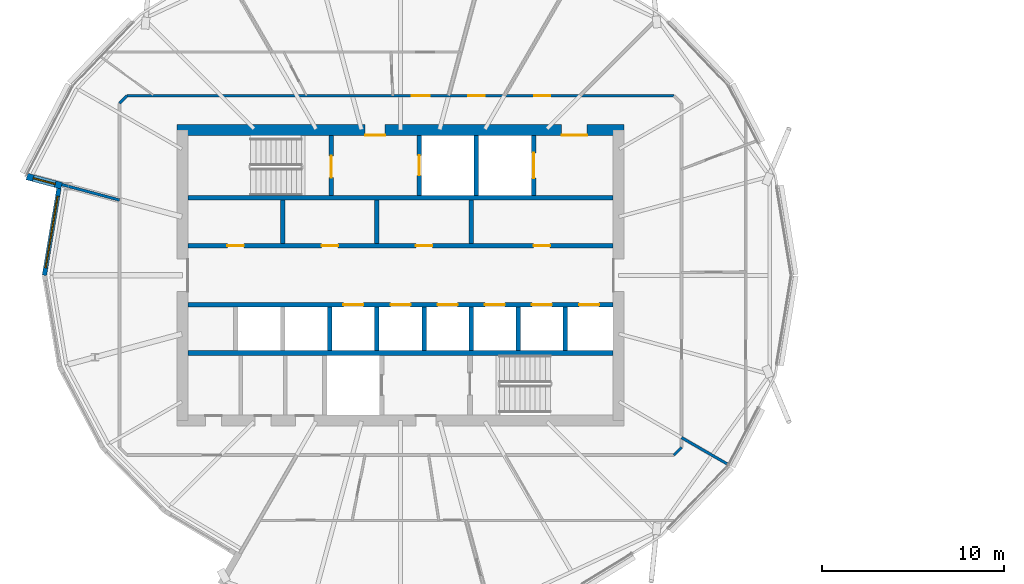
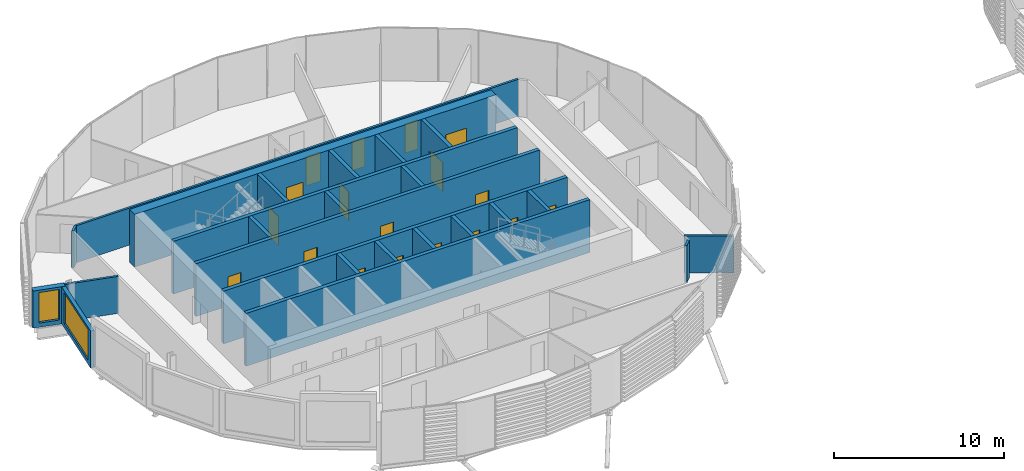
# One storey, part 19 of 36: 25 walls, 18 doors, 2 windows, 20 openings.
"""IFC4 building model written with IfcOpenShell, lengths in metres."""

from ifc_helpers import new_model, si_unit, direction, frame, frame_2d, origin, place, context, subcontext, project, spatial, rectangle, extrude, material, layer, layer_set, type_object, element, fill, save


model = new_model("IFC4")

# Units and contexts
model_context = context("Model", 3, precision=1e-05, world=origin(), true_north=direction((0.0, 1.0)))
body_context = subcontext(model_context, "Body", "Model", "MODEL_VIEW")
ifc_project = project(units=[si_unit("LENGTHUNIT", "METRE"), si_unit("AREAUNIT", "SQUARE_METRE"), si_unit("VOLUMEUNIT", "CUBIC_METRE"), si_unit("PLANEANGLEUNIT", "RADIAN"), si_unit("MASSUNIT", "GRAM", prefix="KILO")], contexts=[model_context])

# Site, building, storey
site_placement = place(None, origin())
site = spatial("IfcSite", under=ifc_project, at=site_placement, CompositionType="ELEMENT")
building_placement = place(site_placement, origin())
building = spatial("IfcBuilding", under=site, at=building_placement, Name="Rimbun Link Towers", CompositionType="ELEMENT")
storey_placement = place(building_placement, frame((0.0, 0.0, 200.699951171875)))
storey = spatial("IfcBuildingStorey", under=building, at=storey_placement, Name="L49", CompositionType="ELEMENT", Elevation=200.699951171875)

# Wall, opening, window
ifc_material_1 = material(Name="Dark enamelled glass spandrel on insulated aluminium backpan", Category="aluminium")
ifc_layer_1 = layer(ifc_material_1, 0.25)
ifc_layer_set_1 = layer_set([ifc_layer_1], Name="CS dark enamelled spandrel wall 250")
wall_type_1 = type_object("IfcWallType", Name="CS dark enamelled spandrel wall 250", PredefinedType="STANDARD", material=ifc_layer_set_1)
wall_1_placement = place(storey_placement, frame((-51.3603515625, 0.0, 0.0), z_axis=(0.0, 0.0, 1.0), x_axis=(0.165542246624, 0.986202699541, 0.0)))
wall_1 = element("IfcWall", 1, at=wall_1_placement, inside=storey, type_object=wall_type_1, Name="Crease spandrel wall", PredefinedType="STANDARD", context=body_context, shape_type="SweptSolid", body=[
    extrude(rectangle(XDim=4.84765625, YDim=0.25, at=frame_2d((2.423828125, 0.0))), origin(), (0.0, 0.0, 1.0), 2.671630859375),
])
opening_1_placement = place(wall_1_placement, frame((0.423828125, 0.0, 0.300048828125)))
opening_1 = element("IfcOpeningElement", 2, at=opening_1_placement, cuts=wall_1, Name="Opening WR40H220", PredefinedType="OPENING", context=body_context, shape_type="SweptSolid", body=[
    extrude(rectangle(XDim=4.0, YDim=2.199951171875, at=frame_2d((2.0, 1.10009765625))), frame((0.0, 0.135009765625, 0.0), z_axis=(0.0, -1.0, 0.0), x_axis=(1.0, 0.0, 0.0)), (0.0, 0.0, 1.0), 0.27001953125),
])
ifc_material_2 = material(Name="Aluminium framed fixed window, dark tinted low-e glass", Category="aluminium")
window_type_1 = type_object("IfcWindowType", Name="WR ribbon window 4000X2200", PartitioningType="SINGLE_PANEL", PredefinedType="WINDOW", material=ifc_material_2)
window_1_placement = place(opening_1_placement, origin())
window_1 = element("IfcWindow", 3, at=window_1_placement, inside=storey, type_object=window_type_1, Name="Crease ribbon window", OverallHeight=2.199951171875, OverallWidth=4.0, PartitioningType="SINGLE_PANEL", PredefinedType="WINDOW", context=body_context, shape_type="SweptSolid", body=[
    extrude(rectangle(XDim=4.0, YDim=2.199951171875, at=frame_2d((2.0, 1.10009765625))), frame((0.0, 0.030029296875, 0.0), z_axis=(0.0, -1.0, 0.0), x_axis=(1.0, 0.0, 0.0)), (0.0, 0.0, 1.0), 0.06005859375),
])
fill(opening_1, window_1)

ifc_material_3 = material(Name="Dark enamelled glass spandrel on insulated aluminium backpan", Category="aluminium")
ifc_layer_2 = layer(ifc_material_3, 0.3701171875)
ifc_layer_set_2 = layer_set([ifc_layer_2], Name="CS dark enamelled spandrel wall 370")
wall_type_2 = type_object("IfcWallType", Name="CS dark enamelled spandrel wall 370", PredefinedType="STANDARD", material=ifc_layer_set_2)
wall_2_placement = place(storey_placement, frame((-50.411865234375, 4.93310546875, 0.0), z_axis=(0.0, 0.0, 1.0), x_axis=(-0.965929339423, 0.258805933552, 0.0)))
wall_2 = element("IfcWall", 4, at=wall_2_placement, inside=storey, type_object=wall_type_2, Name="Crease spandrel wall", PredefinedType="STANDARD", context=body_context, shape_type="SweptSolid", body=[
    extrude(rectangle(XDim=1.97998046875, YDim=0.3701171875, at=frame_2d((0.989990234375, 0.0))), origin(), (0.0, 0.0, 1.0), 2.671630859375),
])
opening_2_placement = place(wall_2_placement, frame((0.364990234375, 0.0, 0.300048828125)))
opening_2 = element("IfcOpeningElement", 5, at=opening_2_placement, cuts=wall_2, Name="Opening WR12H220", PredefinedType="OPENING", context=body_context, shape_type="SweptSolid", body=[
    extrude(rectangle(XDim=1.25, YDim=2.199951171875, at=frame_2d((0.625, 1.10009765625))), frame((0.0, 0.195068359375, 0.0), z_axis=(0.0, -1.0, 0.0), x_axis=(1.0, 0.0, 0.0)), (0.0, 0.0, 1.0), 0.39013671875),
])
ifc_material_4 = material(Name="Aluminium framed fixed window, dark tinted low-e glass", Category="aluminium")
window_type_2 = type_object("IfcWindowType", Name="WR ribbon window 1250X2200", PartitioningType="SINGLE_PANEL", PredefinedType="WINDOW", material=ifc_material_4)
window_2_placement = place(opening_2_placement, origin())
window_2 = element("IfcWindow", 6, at=window_2_placement, inside=storey, type_object=window_type_2, Name="Crease ribbon window", OverallHeight=2.199951171875, OverallWidth=1.25, PartitioningType="SINGLE_PANEL", PredefinedType="WINDOW", context=body_context, shape_type="SweptSolid", body=[
    extrude(rectangle(XDim=1.25, YDim=2.199951171875, at=frame_2d((0.625, 1.10009765625))), frame((0.0, 0.030029296875, 0.0), z_axis=(0.0, -1.0, 0.0), x_axis=(1.0, 0.0, 0.0)), (0.0, 0.0, 1.0), 0.06005859375),
])
fill(opening_2, window_2)

# Wall, openings, doors
ifc_material_5 = material(Name="Concrete C60/75", Category="concrete")
ifc_layer_3 = layer(ifc_material_5, 0.60009765625)
ifc_layer_set_3 = layer_set([ifc_layer_3], Name="Core shear wall 600")
wall_type_3 = type_object("IfcWallType", Name="Core shear wall 600", PredefinedType="SHEAR", material=ifc_layer_set_3)
wall_3_placement = place(storey_placement, frame((-44.050048828125, 8.0, 0.0), z_axis=(0.0, 0.0, 1.0), x_axis=(1.0, 0.0, 0.0)))
wall_3 = element("IfcWall", 7, at=wall_3_placement, inside=storey, type_object=wall_type_3, Name="L49 T1 core wall N", PredefinedType="SHEAR", context=body_context, shape_type="SweptSolid", body=[
    extrude(rectangle(XDim=24.60009765625, YDim=0.60009765625, at=frame_2d((12.300048828125, 0.0))), origin(), (0.0, 0.0, 1.0), 3.800048828125),
])
opening_3_placement = place(wall_3_placement, frame((10.35009765625, 0.0, 0.0)))
opening_3 = element("IfcOpeningElement", 8, at=opening_3_placement, cuts=wall_3, Name="Opening C1DCF01N", PredefinedType="OPENING", context=body_context, shape_type="SweptSolid", body=[
    extrude(rectangle(XDim=1.10009765625, YDim=2.10009765625, at=frame_2d((0.550048828125, 1.050048828125))), frame((0.0, 0.31005859375, 0.0), z_axis=(0.0, -1.0, 0.0), x_axis=(1.0, 0.0, 0.0)), (0.0, 0.0, 1.0), 0.6201171875),
])
opening_4_placement = place(wall_3_placement, frame((21.175048828125, 0.0, 0.0)))
opening_4 = element("IfcOpeningElement", 9, at=opening_4_placement, cuts=wall_3, Name="Opening C1DSL02N", PredefinedType="OPENING", context=body_context, shape_type="SweptSolid", body=[
    extrude(rectangle(XDim=1.39990234375, YDim=2.10009765625, at=frame_2d((0.699951171875, 1.050048828125))), frame((0.0, 0.31005859375, 0.0), z_axis=(0.0, -1.0, 0.0), x_axis=(1.0, 0.0, 0.0)), (0.0, 0.0, 1.0), 0.6201171875),
])
ifc_material_6 = material(Name="Steel fire door set", Category="steel")
door_type_1 = type_object("IfcDoorType", Name="Core fire door single", OperationType="SINGLE_SWING_LEFT", PredefinedType="DOOR", material=ifc_material_6)
door_1_placement = place(opening_3_placement, origin())
door_1 = element("IfcDoor", 10, at=door_1_placement, inside=storey, type_object=door_type_1, Name="L49 T1 firefighting lobby n door", OperationType="SINGLE_SWING_LEFT", OverallHeight=2.10009765625, OverallWidth=1.10009765625, PredefinedType="DOOR", context=body_context, shape_type="SweptSolid", body=[
    extrude(rectangle(XDim=1.10009765625, YDim=2.10009765625, at=frame_2d((0.550048828125, 1.050048828125))), frame((0.0, -0.25, 0.0), z_axis=(0.0, -1.0, 0.0), x_axis=(1.0, 0.0, 0.0)), (0.0, 0.0, 1.0), 0.050048828125),
])
fill(opening_3, door_1)
ifc_material_7 = material(Name="Steel fire door set", Category="steel")
door_type_2 = type_object("IfcDoorType", Name="Service lobby door double", OperationType="DOUBLE_DOOR_SINGLE_SWING", PredefinedType="DOOR", material=ifc_material_7)
door_2_placement = place(opening_4_placement, origin())
door_2 = element("IfcDoor", 11, at=door_2_placement, inside=storey, type_object=door_type_2, Name="L49 T1 service lobby door", OperationType="DOUBLE_DOOR_SINGLE_SWING", OverallHeight=2.10009765625, OverallWidth=1.39990234375, PredefinedType="DOOR", context=body_context, shape_type="SweptSolid", body=[
    extrude(rectangle(XDim=1.39990234375, YDim=2.10009765625, at=frame_2d((0.699951171875, 1.050048828125))), frame((0.0, -0.25, 0.0), z_axis=(0.0, -1.0, 0.0), x_axis=(1.0, 0.0, 0.0)), (0.0, 0.0, 1.0), 0.050048828125),
])
fill(opening_4, door_2)

ifc_material_8 = material(Name="Plasterboard on steel stud, mineral wool", Category="steel")
ifc_layer_4 = layer(ifc_material_8, 0.14990234375)
ifc_layer_set_4 = layer_set([ifc_layer_4], Name="Corridor wall EI 30 150 mm")
wall_type_4 = type_object("IfcWallType", Name="Corridor wall EI 30 150 mm", PredefinedType="PARTITIONING", material=ifc_layer_set_4)
wall_4_placement = place(storey_placement, frame((-46.8037109375, 9.89501953125, 0.0), z_axis=(0.0, 0.0, 1.0), x_axis=(1.0, 0.0, 0.0)))
wall_4 = element("IfcWall", 12, at=wall_4_placement, inside=storey, type_object=wall_type_4, Name="Corridor wall EI 30 150 mm", PredefinedType="PARTITIONING", context=body_context, shape_type="SweptSolid", body=[
    extrude(rectangle(XDim=30.107421875, YDim=0.14990234375, at=frame_2d((15.0537109375, 0.0))), origin(), (0.0, 0.0, 1.0), 2.662109375),
])
opening_5_placement = place(wall_4_placement, frame((22.40771484375, 0.0, 0.0)))
opening_5 = element("IfcOpeningElement", 13, at=opening_5_placement, cuts=wall_4, Name="Opening D02", PredefinedType="OPENING", context=body_context, shape_type="SweptSolid", body=[
    extrude(rectangle(XDim=0.89990234375, YDim=2.10009765625, at=frame_2d((0.449951171875, 1.050048828125))), frame((0.0, 0.0849609375, 0.0), z_axis=(0.0, -1.0, 0.0), x_axis=(1.0, 0.0, 0.0)), (0.0, 0.0, 1.0), 0.169921875),
])
opening_6_placement = place(wall_4_placement, frame((18.785888671875, 0.0, 0.0)))
opening_6 = element("IfcOpeningElement", 14, at=opening_6_placement, cuts=wall_4, Name="Opening D02", PredefinedType="OPENING", context=body_context, shape_type="SweptSolid", body=[
    extrude(rectangle(XDim=0.89990234375, YDim=2.10009765625, at=frame_2d((0.449951171875, 1.050048828125))), frame((0.0, 0.0849609375, 0.0), z_axis=(0.0, -1.0, 0.0), x_axis=(1.0, 0.0, 0.0)), (0.0, 0.0, 1.0), 0.169921875),
])
opening_7_placement = place(wall_4_placement, frame((15.668212890625, 0.0, 0.0)))
opening_7 = element("IfcOpeningElement", 15, at=opening_7_placement, cuts=wall_4, Name="Opening D01", PredefinedType="OPENING", context=body_context, shape_type="SweptSolid", body=[
    extrude(rectangle(XDim=1.0, YDim=2.10009765625, at=frame_2d((0.5, 1.050048828125))), frame((0.0, 0.0849609375, 0.0), z_axis=(0.0, -1.0, 0.0), x_axis=(1.0, 0.0, 0.0)), (0.0, 0.0, 1.0), 0.169921875),
])
ifc_material_9 = material(Name="Fire-resisting timber door leaf", Category="wood")
door_type_3 = type_object("IfcDoorType", Name="Fire door FD30S 1000", OperationType="NOTDEFINED", PredefinedType="DOOR", material=ifc_material_9)
door_3_placement = place(opening_7_placement, origin())
door_3 = element("IfcDoor", 16, at=door_3_placement, inside=storey, type_object=door_type_3, Name="Fire door FD30S 1000 to Tenant lobby", OperationType="SINGLE_SWING_LEFT", OverallHeight=2.10009765625, OverallWidth=1.0, PredefinedType="DOOR", context=body_context, shape_type="SweptSolid", body=[
    extrude(rectangle(XDim=1.0, YDim=2.10009765625, at=frame_2d((0.5, 1.050048828125))), frame((0.0, 0.02490234375, 0.0), z_axis=(0.0, -1.0, 0.0), x_axis=(1.0, 0.0, 0.0)), (0.0, 0.0, 1.0), 0.050048828125),
])
fill(opening_7, door_3)
ifc_material_10 = material(Name="Fire-resisting timber door leaf", Category="wood")
door_type_4 = type_object("IfcDoorType", Name="Fire door FD30S 900", OperationType="NOTDEFINED", PredefinedType="DOOR", material=ifc_material_10)
door_4_placement = place(opening_5_placement, origin())
door_4 = element("IfcDoor", 17, at=door_4_placement, inside=storey, type_object=door_type_4, Name="Fire door FD30S 900 to Training room", OperationType="SINGLE_SWING_LEFT", OverallHeight=2.10009765625, OverallWidth=0.89990234375, PredefinedType="DOOR", context=body_context, shape_type="SweptSolid", body=[
    extrude(rectangle(XDim=0.89990234375, YDim=2.10009765625, at=frame_2d((0.449951171875, 1.050048828125))), frame((0.0, 0.02490234375, 0.0), z_axis=(0.0, -1.0, 0.0), x_axis=(1.0, 0.0, 0.0)), (0.0, 0.0, 1.0), 0.050048828125),
])
fill(opening_5, door_4)
door_5_placement = place(opening_6_placement, origin())
door_5 = element("IfcDoor", 18, at=door_5_placement, inside=storey, type_object=door_type_4, Name="Fire door FD30S 900 to Meeting room", OperationType="SINGLE_SWING_RIGHT", OverallHeight=2.10009765625, OverallWidth=0.89990234375, PredefinedType="DOOR", context=body_context, shape_type="SweptSolid", body=[
    extrude(rectangle(XDim=0.89990234375, YDim=2.10009765625, at=frame_2d((0.449951171875, 1.050048828125))), frame((0.0, 0.02490234375, 0.0), z_axis=(0.0, -1.0, 0.0), x_axis=(1.0, 0.0, 0.0)), (0.0, 0.0, 1.0), 0.050048828125),
])
fill(opening_6, door_5)

# Walls
for number, where, z_axis, x_axis, name in (
    (19, (-16.6962890625, -9.89501953125, 0.0), (0.0, 0.0, 1.0), (0.707106781187, 0.707106781187, 0.0), "Corridor wall EI 30 150 mm"),
    (20, (-46.8037109375, 9.89501953125, 0.0), (0.0, 0.0, 1.0), (-0.707106781187, -0.707106781187, 0.0), "Corridor wall EI 30 150 mm"),
):
    element("IfcWall", number, at=place(storey_placement, frame(where, z_axis=z_axis, x_axis=x_axis)), inside=storey, type_object=wall_type_4, Name=name, PredefinedType="PARTITIONING", context=body_context, shape_type="SweptSolid", body=[
        extrude(rectangle(XDim=0.595947265625, YDim=0.14990234375, at=frame_2d((0.2978515625, 0.0))), origin(), (0.0, 0.0, 1.0), 2.662109375),
    ])
ifc_material_11 = material(Name="Concrete C60/75", Category="concrete")
ifc_layer_5 = layer(ifc_material_11, 0.25)
ifc_layer_set_5 = layer_set([ifc_layer_5], Name="Shaft wall 250")
wall_type_5 = type_object("IfcWallType", Name="Shaft wall 250", PredefinedType="SHEAR", material=ifc_layer_set_5)
for number, where, z_axis, x_axis, name in (
    (21, (-43.449951171875, 4.27490234375, 0.0), (0.0, 0.0, 1.0), (1.0, 0.0, 0.0), "L49 T1 core wall BN"),
    (22, (-43.449951171875, -4.27490234375, 0.0), (0.0, 0.0, 1.0), (1.0, 0.0, 0.0), "L49 T1 core wall BS"),
):
    element("IfcWall", number, at=place(storey_placement, frame(where, z_axis=z_axis, x_axis=x_axis)), inside=storey, type_object=wall_type_5, Name=name, PredefinedType="SHEAR", context=body_context, shape_type="SweptSolid", body=[
        extrude(rectangle(XDim=23.39990234375, YDim=0.25, at=frame_2d((11.699951171875, 0.0))), origin(), (0.0, 0.0, 1.0), 3.800048828125),
    ])

# Wall, openings, doors
wall_5_placement = place(storey_placement, frame((-43.449951171875, 1.625, 0.0), z_axis=(0.0, 0.0, 1.0), x_axis=(1.0, 0.0, 0.0)))
wall_5 = element("IfcWall", 23, at=wall_5_placement, inside=storey, type_object=wall_type_5, Name="L49 T1 core wall FN", PredefinedType="SHEAR", context=body_context, shape_type="SweptSolid", body=[
    extrude(rectangle(XDim=23.39990234375, YDim=0.25, at=frame_2d((11.699951171875, 0.0))), origin(), (0.0, 0.0, 1.0), 3.800048828125),
])
opening_8_placement = place(wall_5_placement, frame((2.16943359375, 0.0, 0.0)))
opening_8 = element("IfcOpeningElement", 24, at=opening_8_placement, cuts=wall_5, Name="Opening C1DRS01FN", PredefinedType="OPENING", context=body_context, shape_type="SweptSolid", body=[
    extrude(rectangle(XDim=0.89990234375, YDim=2.10009765625, at=frame_2d((0.449951171875, 1.050048828125))), frame((0.0, 0.135009765625, 0.0), z_axis=(0.0, -1.0, 0.0), x_axis=(1.0, 0.0, 0.0)), (0.0, 0.0, 1.0), 0.27001953125),
])
opening_9_placement = place(wall_5_placement, frame((7.3583984375, 0.0, 0.0)))
opening_9 = element("IfcOpeningElement", 25, at=opening_9_placement, cuts=wall_5, Name="Opening C1DRS02FN", PredefinedType="OPENING", context=body_context, shape_type="SweptSolid", body=[
    extrude(rectangle(XDim=0.89990234375, YDim=2.10009765625, at=frame_2d((0.449951171875, 1.050048828125))), frame((0.0, 0.135009765625, 0.0), z_axis=(0.0, -1.0, 0.0), x_axis=(1.0, 0.0, 0.0)), (0.0, 0.0, 1.0), 0.27001953125),
])
opening_10_placement = place(wall_5_placement, frame((12.547119140625, 0.0, 0.0)))
opening_10 = element("IfcOpeningElement", 26, at=opening_10_placement, cuts=wall_5, Name="Opening C1DRS03FN", PredefinedType="OPENING", context=body_context, shape_type="SweptSolid", body=[
    extrude(rectangle(XDim=0.89990234375, YDim=2.10009765625, at=frame_2d((0.449951171875, 1.050048828125))), frame((0.0, 0.135009765625, 0.0), z_axis=(0.0, -1.0, 0.0), x_axis=(1.0, 0.0, 0.0)), (0.0, 0.0, 1.0), 0.27001953125),
])
opening_11_placement = place(wall_5_placement, frame((19.033203125, 0.0, 0.0)))
opening_11 = element("IfcOpeningElement", 27, at=opening_11_placement, cuts=wall_5, Name="Opening C1DRS04FN", PredefinedType="OPENING", context=body_context, shape_type="SweptSolid", body=[
    extrude(rectangle(XDim=0.89990234375, YDim=2.10009765625, at=frame_2d((0.449951171875, 1.050048828125))), frame((0.0, 0.135009765625, 0.0), z_axis=(0.0, -1.0, 0.0), x_axis=(1.0, 0.0, 0.0)), (0.0, 0.0, 1.0), 0.27001953125),
])
ifc_material_12 = material(Name="Steel fire door set", Category="steel")
door_type_5 = type_object("IfcDoorType", Name="Core riser door", OperationType="SINGLE_SWING_LEFT", PredefinedType="DOOR", material=ifc_material_12)
door_6_placement = place(opening_8_placement, origin())
door_6 = element("IfcDoor", 28, at=door_6_placement, inside=storey, type_object=door_type_5, Name="L49 T1 pantry door", OperationType="SINGLE_SWING_LEFT", OverallHeight=2.10009765625, OverallWidth=0.89990234375, PredefinedType="DOOR", context=body_context, shape_type="SweptSolid", body=[
    extrude(rectangle(XDim=0.89990234375, YDim=2.10009765625, at=frame_2d((0.449951171875, 1.050048828125))), frame((0.0, 0.02490234375, 0.0), z_axis=(0.0, -1.0, 0.0), x_axis=(1.0, 0.0, 0.0)), (0.0, 0.0, 1.0), 0.050048828125),
])
fill(opening_8, door_6)
door_7_placement = place(opening_9_placement, origin())
door_7 = element("IfcDoor", 29, at=door_7_placement, inside=storey, type_object=door_type_5, Name="L49 T1 first aid room door", OperationType="SINGLE_SWING_LEFT", OverallHeight=2.10009765625, OverallWidth=0.89990234375, PredefinedType="DOOR", context=body_context, shape_type="SweptSolid", body=[
    extrude(rectangle(XDim=0.89990234375, YDim=2.10009765625, at=frame_2d((0.449951171875, 1.050048828125))), frame((0.0, 0.02490234375, 0.0), z_axis=(0.0, -1.0, 0.0), x_axis=(1.0, 0.0, 0.0)), (0.0, 0.0, 1.0), 0.050048828125),
])
fill(opening_9, door_7)
door_8_placement = place(opening_10_placement, origin())
door_8 = element("IfcDoor", 30, at=door_8_placement, inside=storey, type_object=door_type_5, Name="L49 T1 mail room door", OperationType="SINGLE_SWING_LEFT", OverallHeight=2.10009765625, OverallWidth=0.89990234375, PredefinedType="DOOR", context=body_context, shape_type="SweptSolid", body=[
    extrude(rectangle(XDim=0.89990234375, YDim=2.10009765625, at=frame_2d((0.449951171875, 1.050048828125))), frame((0.0, 0.02490234375, 0.0), z_axis=(0.0, -1.0, 0.0), x_axis=(1.0, 0.0, 0.0)), (0.0, 0.0, 1.0), 0.050048828125),
])
fill(opening_10, door_8)
door_9_placement = place(opening_11_placement, origin())
door_9 = element("IfcDoor", 31, at=door_9_placement, inside=storey, type_object=door_type_5, Name="L49 T1 wellness room door", OperationType="SINGLE_SWING_RIGHT", OverallHeight=2.10009765625, OverallWidth=0.89990234375, PredefinedType="DOOR", context=body_context, shape_type="SweptSolid", body=[
    extrude(rectangle(XDim=0.89990234375, YDim=2.10009765625, at=frame_2d((0.449951171875, 1.050048828125))), frame((0.0, 0.02490234375, 0.0), z_axis=(0.0, -1.0, 0.0), x_axis=(1.0, 0.0, 0.0)), (0.0, 0.0, 1.0), 0.050048828125),
])
fill(opening_11, door_9)

wall_6_placement = place(storey_placement, frame((-43.449951171875, -1.625, 0.0), z_axis=(0.0, 0.0, 1.0), x_axis=(1.0, 0.0, 0.0)))
wall_6 = element("IfcWall", 32, at=wall_6_placement, inside=storey, type_object=wall_type_5, Name="L49 T1 core wall FS", PredefinedType="SHEAR", context=body_context, shape_type="SweptSolid", body=[
    extrude(rectangle(XDim=23.39990234375, YDim=0.25, at=frame_2d((11.699951171875, 0.0))), origin(), (0.0, 0.0, 1.0), 3.800048828125),
])
opening_12_placement = place(wall_6_placement, frame((8.5556640625, 0.0, 0.0)))
opening_12 = element("IfcOpeningElement", 33, at=opening_12_placement, cuts=wall_6, Name="Opening LD-T1-HR1", PredefinedType="OPENING", context=body_context, shape_type="SweptSolid", body=[
    extrude(rectangle(XDim=1.10009765625, YDim=2.10009765625, at=frame_2d((0.550048828125, 1.050048828125))), frame((0.0, 0.135009765625, 0.0), z_axis=(0.0, -1.0, 0.0), x_axis=(1.0, 0.0, 0.0)), (0.0, 0.0, 1.0), 0.27001953125),
])
opening_13_placement = place(wall_6_placement, frame((11.14990234375, 0.0, 0.0)))
opening_13 = element("IfcOpeningElement", 34, at=opening_13_placement, cuts=wall_6, Name="Opening LD-T1-HR2", PredefinedType="OPENING", context=body_context, shape_type="SweptSolid", body=[
    extrude(rectangle(XDim=1.10009765625, YDim=2.10009765625, at=frame_2d((0.550048828125, 1.050048828125))), frame((0.0, 0.135009765625, 0.0), z_axis=(0.0, -1.0, 0.0), x_axis=(1.0, 0.0, 0.0)), (0.0, 0.0, 1.0), 0.27001953125),
])
opening_14_placement = place(wall_6_placement, frame((13.744384765625, 0.0, 0.0)))
opening_14 = element("IfcOpeningElement", 35, at=opening_14_placement, cuts=wall_6, Name="Opening LD-T1-HR3", PredefinedType="OPENING", context=body_context, shape_type="SweptSolid", body=[
    extrude(rectangle(XDim=1.10009765625, YDim=2.10009765625, at=frame_2d((0.550048828125, 1.050048828125))), frame((0.0, 0.135009765625, 0.0), z_axis=(0.0, -1.0, 0.0), x_axis=(1.0, 0.0, 0.0)), (0.0, 0.0, 1.0), 0.27001953125),
])
opening_15_placement = place(wall_6_placement, frame((16.3388671875, 0.0, 0.0)))
opening_15 = element("IfcOpeningElement", 36, at=opening_15_placement, cuts=wall_6, Name="Opening LD-T1-HR4", PredefinedType="OPENING", context=body_context, shape_type="SweptSolid", body=[
    extrude(rectangle(XDim=1.10009765625, YDim=2.10009765625, at=frame_2d((0.550048828125, 1.050048828125))), frame((0.0, 0.135009765625, 0.0), z_axis=(0.0, -1.0, 0.0), x_axis=(1.0, 0.0, 0.0)), (0.0, 0.0, 1.0), 0.27001953125),
])
opening_16_placement = place(wall_6_placement, frame((18.933349609375, 0.0, 0.0)))
opening_16 = element("IfcOpeningElement", 37, at=opening_16_placement, cuts=wall_6, Name="Opening LD-T1-HR5", PredefinedType="OPENING", context=body_context, shape_type="SweptSolid", body=[
    extrude(rectangle(XDim=1.10009765625, YDim=2.10009765625, at=frame_2d((0.550048828125, 1.050048828125))), frame((0.0, 0.135009765625, 0.0), z_axis=(0.0, -1.0, 0.0), x_axis=(1.0, 0.0, 0.0)), (0.0, 0.0, 1.0), 0.27001953125),
])
opening_17_placement = place(wall_6_placement, frame((21.52783203125, 0.0, 0.0)))
opening_17 = element("IfcOpeningElement", 38, at=opening_17_placement, cuts=wall_6, Name="Opening LD-T1-HR6", PredefinedType="OPENING", context=body_context, shape_type="SweptSolid", body=[
    extrude(rectangle(XDim=1.10009765625, YDim=2.10009765625, at=frame_2d((0.550048828125, 1.050048828125))), frame((0.0, 0.135009765625, 0.0), z_axis=(0.0, -1.0, 0.0), x_axis=(1.0, 0.0, 0.0)), (0.0, 0.0, 1.0), 0.27001953125),
])
ifc_material_13 = material(Name="Stainless steel grade 316", Category="steel")
door_type_6 = type_object("IfcDoorType", Name="Lift landing door", OperationType="DOUBLE_DOOR_SLIDING", PredefinedType="DOOR", material=ifc_material_13)
door_10_placement = place(opening_12_placement, origin())
door_10 = element("IfcDoor", 39, at=door_10_placement, inside=storey, type_object=door_type_6, Name="L49 T1 lift HR1 landing door", OperationType="DOUBLE_DOOR_SLIDING", OverallHeight=2.10009765625, OverallWidth=1.10009765625, PredefinedType="DOOR", context=body_context, shape_type="SweptSolid", body=[
    extrude(rectangle(XDim=1.10009765625, YDim=2.10009765625, at=frame_2d((0.550048828125, 1.050048828125))), frame((0.0, 0.02490234375, 0.0), z_axis=(0.0, -1.0, 0.0), x_axis=(1.0, 0.0, 0.0)), (0.0, 0.0, 1.0), 0.050048828125),
])
fill(opening_12, door_10)
door_11_placement = place(opening_13_placement, origin())
door_11 = element("IfcDoor", 40, at=door_11_placement, inside=storey, type_object=door_type_6, Name="L49 T1 lift HR2 landing door", OperationType="DOUBLE_DOOR_SLIDING", OverallHeight=2.10009765625, OverallWidth=1.10009765625, PredefinedType="DOOR", context=body_context, shape_type="SweptSolid", body=[
    extrude(rectangle(XDim=1.10009765625, YDim=2.10009765625, at=frame_2d((0.550048828125, 1.050048828125))), frame((0.0, 0.02490234375, 0.0), z_axis=(0.0, -1.0, 0.0), x_axis=(1.0, 0.0, 0.0)), (0.0, 0.0, 1.0), 0.050048828125),
])
fill(opening_13, door_11)
door_12_placement = place(opening_14_placement, origin())
door_12 = element("IfcDoor", 41, at=door_12_placement, inside=storey, type_object=door_type_6, Name="L49 T1 lift HR3 landing door", OperationType="DOUBLE_DOOR_SLIDING", OverallHeight=2.10009765625, OverallWidth=1.10009765625, PredefinedType="DOOR", context=body_context, shape_type="SweptSolid", body=[
    extrude(rectangle(XDim=1.10009765625, YDim=2.10009765625, at=frame_2d((0.550048828125, 1.050048828125))), frame((0.0, 0.02490234375, 0.0), z_axis=(0.0, -1.0, 0.0), x_axis=(1.0, 0.0, 0.0)), (0.0, 0.0, 1.0), 0.050048828125),
])
fill(opening_14, door_12)
door_13_placement = place(opening_15_placement, origin())
door_13 = element("IfcDoor", 42, at=door_13_placement, inside=storey, type_object=door_type_6, Name="L49 T1 lift HR4 landing door", OperationType="DOUBLE_DOOR_SLIDING", OverallHeight=2.10009765625, OverallWidth=1.10009765625, PredefinedType="DOOR", context=body_context, shape_type="SweptSolid", body=[
    extrude(rectangle(XDim=1.10009765625, YDim=2.10009765625, at=frame_2d((0.550048828125, 1.050048828125))), frame((0.0, 0.02490234375, 0.0), z_axis=(0.0, -1.0, 0.0), x_axis=(1.0, 0.0, 0.0)), (0.0, 0.0, 1.0), 0.050048828125),
])
fill(opening_15, door_13)
door_14_placement = place(opening_16_placement, origin())
door_14 = element("IfcDoor", 43, at=door_14_placement, inside=storey, type_object=door_type_6, Name="L49 T1 lift HR5 landing door", OperationType="DOUBLE_DOOR_SLIDING", OverallHeight=2.10009765625, OverallWidth=1.10009765625, PredefinedType="DOOR", context=body_context, shape_type="SweptSolid", body=[
    extrude(rectangle(XDim=1.10009765625, YDim=2.10009765625, at=frame_2d((0.550048828125, 1.050048828125))), frame((0.0, 0.02490234375, 0.0), z_axis=(0.0, -1.0, 0.0), x_axis=(1.0, 0.0, 0.0)), (0.0, 0.0, 1.0), 0.050048828125),
])
fill(opening_16, door_14)
door_15_placement = place(opening_17_placement, origin())
door_15 = element("IfcDoor", 44, at=door_15_placement, inside=storey, type_object=door_type_6, Name="L49 T1 lift HR6 landing door", OperationType="DOUBLE_DOOR_SLIDING", OverallHeight=2.10009765625, OverallWidth=1.10009765625, PredefinedType="DOOR", context=body_context, shape_type="SweptSolid", body=[
    extrude(rectangle(XDim=1.10009765625, YDim=2.10009765625, at=frame_2d((0.550048828125, 1.050048828125))), frame((0.0, 0.02490234375, 0.0), z_axis=(0.0, -1.0, 0.0), x_axis=(1.0, 0.0, 0.0)), (0.0, 0.0, 1.0), 0.050048828125),
])
fill(opening_17, door_15)

# Walls
for number, where, z_axis, x_axis, name in (
    (45, (-38.236083984375, 1.75, 0.0), (0.0, 0.0, 1.0), (0.0, 1.0, 0.0), "L49 T1 core wall DN1"),
    (46, (-33.047119140625, 1.75, 0.0), (0.0, 0.0, 1.0), (0.0, 1.0, 0.0), "L49 T1 core wall DN3"),
    (47, (-27.8583984375, 1.75, 0.0), (0.0, 0.0, 1.0), (0.0, 1.0, 0.0), "L49 T1 core wall DN5"),
    (48, (-35.6416015625, -4.14990234375, 0.0), (0.0, 0.0, 1.0), (0.0, 1.0, 0.0), "L49 T1 core wall DS2"),
    (49, (-33.047119140625, -4.14990234375, 0.0), (0.0, 0.0, 1.0), (0.0, 1.0, 0.0), "L49 T1 core wall DS3"),
    (50, (-30.452880859375, -4.14990234375, 0.0), (0.0, 0.0, 1.0), (0.0, 1.0, 0.0), "L49 T1 core wall DS4"),
    (51, (-27.8583984375, -4.14990234375, 0.0), (0.0, 0.0, 1.0), (0.0, 1.0, 0.0), "L49 T1 core wall DS5"),
    (52, (-25.263916015625, -4.14990234375, 0.0), (0.0, 0.0, 1.0), (0.0, 1.0, 0.0), "L49 T1 core wall DS6"),
    (53, (-22.66943359375, -4.14990234375, 0.0), (0.0, 0.0, 1.0), (0.0, 1.0, 0.0), "L49 T1 core wall DS7"),
):
    element("IfcWall", number, at=place(storey_placement, frame(where, z_axis=z_axis, x_axis=x_axis)), inside=storey, type_object=wall_type_5, Name=name, PredefinedType="SHEAR", context=body_context, shape_type="SweptSolid", body=[
        extrude(rectangle(XDim=2.39990234375, YDim=0.25, at=frame_2d((1.199951171875, 0.0))), origin(), (0.0, 0.0, 1.0), 3.800048828125),
    ])

# Wall, opening, door
wall_7_placement = place(storey_placement, frame((-35.574951171875, 4.39990234375, 0.0), z_axis=(0.0, 0.0, 1.0), x_axis=(0.0, 1.0, 0.0)))
wall_7 = element("IfcWall", 54, at=wall_7_placement, inside=storey, type_object=wall_type_5, Name="L49 T1 core wall A1", PredefinedType="SHEAR", context=body_context, shape_type="SweptSolid", body=[
    extrude(rectangle(XDim=3.300048828125, YDim=0.25, at=frame_2d((1.64990234375, 0.0))), origin(), (0.0, 0.0, 1.0), 3.800048828125),
])
opening_18_placement = place(wall_7_placement, frame((0.97509765625, 0.0, 0.0)))
opening_18 = element("IfcOpeningElement", 55, at=opening_18_placement, cuts=wall_7, Name="Opening C1DST01A1", PredefinedType="OPENING", context=body_context, shape_type="SweptSolid", body=[
    extrude(rectangle(XDim=1.199951171875, YDim=2.10009765625, at=frame_2d((0.60009765625, 1.050048828125))), frame((0.0, 0.135009765625, 0.0), z_axis=(0.0, -1.0, 0.0), x_axis=(1.0, 0.0, 0.0)), (0.0, 0.0, 1.0), 0.27001953125),
])
ifc_material_14 = material(Name="Steel fire door set", Category="steel")
door_type_7 = type_object("IfcDoorType", Name="Stair door", OperationType="SINGLE_SWING_LEFT", PredefinedType="DOOR", material=ifc_material_14)
door_16_placement = place(opening_18_placement, origin())
door_16 = element("IfcDoor", 56, at=door_16_placement, inside=storey, type_object=door_type_7, Name="L49 T1 stair a door", OperationType="SINGLE_SWING_RIGHT", OverallHeight=2.10009765625, OverallWidth=1.199951171875, PredefinedType="DOOR", context=body_context, shape_type="SweptSolid", body=[
    extrude(rectangle(XDim=1.199951171875, YDim=2.10009765625, at=frame_2d((0.60009765625, 1.050048828125))), frame((0.0, 0.02490234375, 0.0), z_axis=(0.0, -1.0, 0.0), x_axis=(1.0, 0.0, 0.0)), (0.0, 0.0, 1.0), 0.050048828125),
])
fill(opening_18, door_16)

wall_8_placement = place(storey_placement, frame((-30.72509765625, 4.39990234375, 0.0), z_axis=(0.0, 0.0, 1.0), x_axis=(0.0, 1.0, 0.0)))
wall_8 = element("IfcWall", 57, at=wall_8_placement, inside=storey, type_object=wall_type_5, Name="L49 T1 core wall A2", PredefinedType="SHEAR", context=body_context, shape_type="SweptSolid", body=[
    extrude(rectangle(XDim=3.300048828125, YDim=0.25, at=frame_2d((1.64990234375, 0.0))), origin(), (0.0, 0.0, 1.0), 3.800048828125),
])
opening_19_placement = place(wall_8_placement, frame((1.10009765625, 0.0, 0.0)))
opening_19 = element("IfcOpeningElement", 58, at=opening_19_placement, cuts=wall_8, Name="Opening LD-T1-FF1", PredefinedType="OPENING", context=body_context, shape_type="SweptSolid", body=[
    extrude(rectangle(XDim=1.10009765625, YDim=2.10009765625, at=frame_2d((0.550048828125, 1.050048828125))), frame((0.0, 0.135009765625, 0.0), z_axis=(0.0, -1.0, 0.0), x_axis=(1.0, 0.0, 0.0)), (0.0, 0.0, 1.0), 0.27001953125),
])
door_17_placement = place(opening_19_placement, origin())
door_17 = element("IfcDoor", 59, at=door_17_placement, inside=storey, type_object=door_type_6, Name="L49 T1 lift FF1 landing door", OperationType="DOUBLE_DOOR_SLIDING", OverallHeight=2.10009765625, OverallWidth=1.10009765625, PredefinedType="DOOR", context=body_context, shape_type="SweptSolid", body=[
    extrude(rectangle(XDim=1.10009765625, YDim=2.10009765625, at=frame_2d((0.550048828125, 1.050048828125))), frame((0.0, 0.02490234375, 0.0), z_axis=(0.0, -1.0, 0.0), x_axis=(1.0, 0.0, 0.0)), (0.0, 0.0, 1.0), 0.050048828125),
])
fill(opening_19, door_17)

# Wall
wall_9_placement = place(storey_placement, frame((-27.574951171875, 4.39990234375, 0.0), z_axis=(0.0, 0.0, 1.0), x_axis=(0.0, 1.0, 0.0)))
element("IfcWall", 60, at=wall_9_placement, inside=storey, type_object=wall_type_5, Name="L49 T1 core wall A3", PredefinedType="SHEAR", context=body_context, shape_type="SweptSolid", body=[
    extrude(rectangle(XDim=3.300048828125, YDim=0.25, at=frame_2d((1.64990234375, 0.0))), origin(), (0.0, 0.0, 1.0), 3.800048828125),
])

# Wall, opening, door
wall_10_placement = place(storey_placement, frame((-24.425048828125, 4.39990234375, 0.0), z_axis=(0.0, 0.0, 1.0), x_axis=(0.0, 1.0, 0.0)))
wall_10 = element("IfcWall", 61, at=wall_10_placement, inside=storey, type_object=wall_type_5, Name="L49 T1 core wall A4", PredefinedType="SHEAR", context=body_context, shape_type="SweptSolid", body=[
    extrude(rectangle(XDim=3.300048828125, YDim=0.25, at=frame_2d((1.64990234375, 0.0))), origin(), (0.0, 0.0, 1.0), 3.800048828125),
])
opening_20_placement = place(wall_10_placement, frame((0.949951171875, 0.0, 0.0)))
opening_20 = element("IfcOpeningElement", 62, at=opening_20_placement, cuts=wall_10, Name="Opening LD-T1-GL1", PredefinedType="OPENING", context=body_context, shape_type="SweptSolid", body=[
    extrude(rectangle(XDim=1.39990234375, YDim=2.10009765625, at=frame_2d((0.699951171875, 1.050048828125))), frame((0.0, 0.135009765625, 0.0), z_axis=(0.0, -1.0, 0.0), x_axis=(1.0, 0.0, 0.0)), (0.0, 0.0, 1.0), 0.27001953125),
])
ifc_material_15 = material(Name="Stainless steel grade 316", Category="steel")
door_type_8 = type_object("IfcDoorType", Name="Goods lift landing door", OperationType="DOUBLE_DOOR_SLIDING", PredefinedType="DOOR", material=ifc_material_15)
door_18_placement = place(opening_20_placement, origin())
door_18 = element("IfcDoor", 63, at=door_18_placement, inside=storey, type_object=door_type_8, Name="L49 T1 lift GL1 landing door", OperationType="DOUBLE_DOOR_SLIDING", OverallHeight=2.10009765625, OverallWidth=1.39990234375, PredefinedType="DOOR", context=body_context, shape_type="SweptSolid", body=[
    extrude(rectangle(XDim=1.39990234375, YDim=2.10009765625, at=frame_2d((0.699951171875, 1.050048828125))), frame((0.0, 0.02490234375, 0.0), z_axis=(0.0, -1.0, 0.0), x_axis=(1.0, 0.0, 0.0)), (0.0, 0.0, 1.0), 0.050048828125),
])
fill(opening_20, door_18)

# Walls
ifc_material_16 = material(Name="Plasterboard on steel stud, mineral wool", Category="steel")
ifc_layer_6 = layer(ifc_material_16, 0.14990234375)
ifc_layer_set_6 = layer_set([ifc_layer_6], Name="Tenancy separation wall EI 60 150 mm")
wall_type_6 = type_object("IfcWallType", Name="Tenancy separation wall EI 60 150 mm", PredefinedType="PARTITIONING", material=ifc_layer_set_6)
wall_11_placement = place(storey_placement, frame((-47.22509765625, 4.146484375, 0.0), z_axis=(0.0, 0.0, 1.0), x_axis=(-0.965926799249, 0.258815413939, 0.0)))
element("IfcWall", 64, at=wall_11_placement, inside=storey, type_object=wall_type_6, Name="Tenancy separation wall EI 60 150 mm", PredefinedType="PARTITIONING", context=body_context, shape_type="SweptSolid", body=[
    extrude(rectangle(XDim=3.28173828125, YDim=0.14990234375, at=frame_2d((1.640869140625, 0.0))), origin(), (0.0, 0.0, 1.0), 2.662109375),
])
wall_12_placement = place(storey_placement, frame((-16.27490234375, -8.9345703125, 0.0), z_axis=(0.0, 0.0, 1.0), x_axis=(0.866033229902, -0.499986444521, 0.0)))
element("IfcWall", 65, at=wall_12_placement, inside=storey, type_object=wall_type_6, Name="Tenancy separation wall EI 60 150 mm", PredefinedType="PARTITIONING", context=body_context, shape_type="SweptSolid", body=[
    extrude(rectangle(XDim=2.9619140625, YDim=0.14990234375, at=frame_2d((1.48095703125, 0.0))), origin(), (0.0, 0.0, 1.0), 2.662109375),
])

save(model, "model.ifc")
